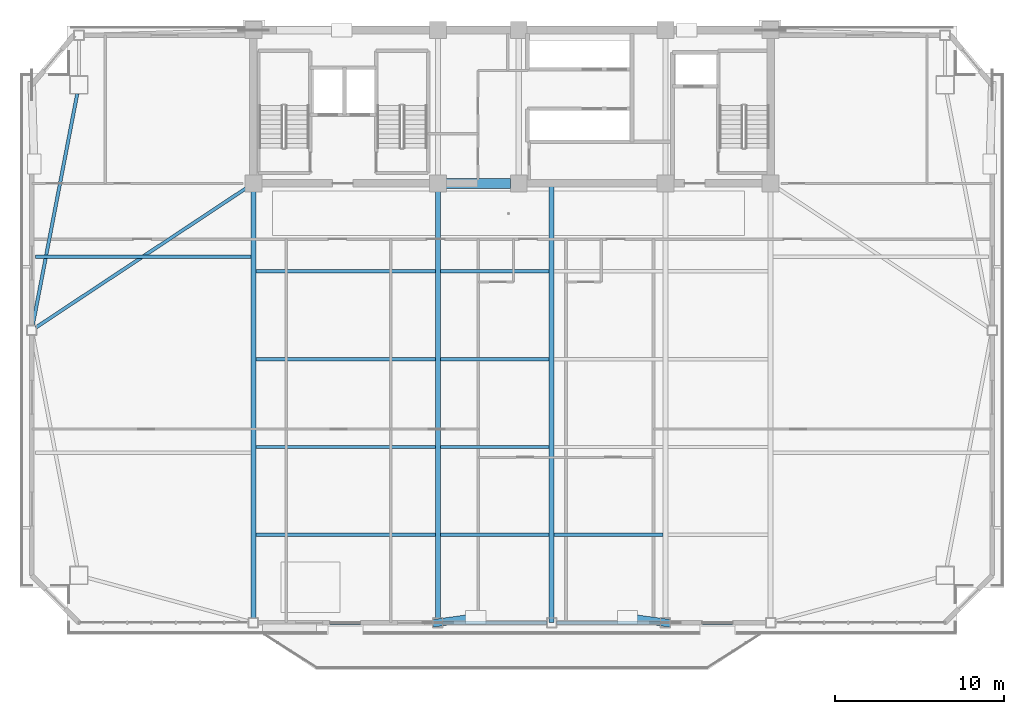
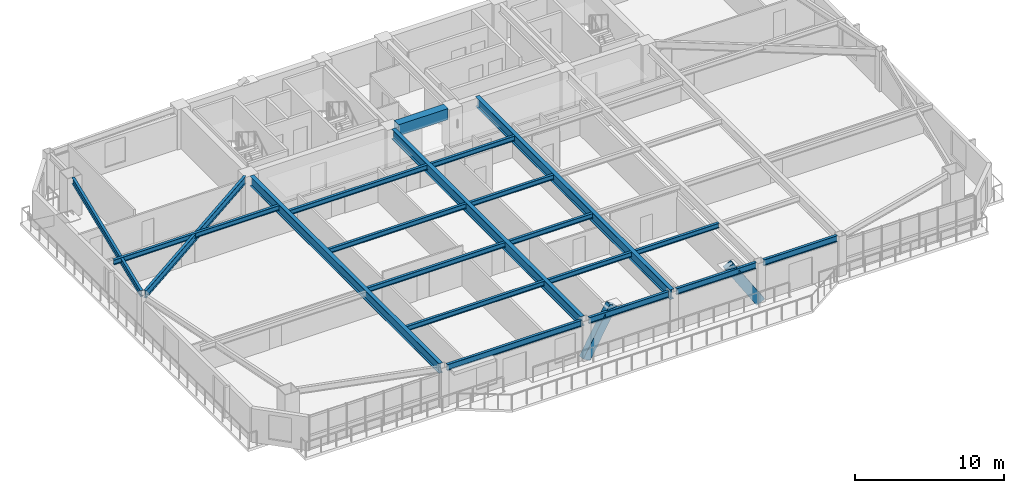
# One storey, part 3 of 17: 20 beams, 2 members.
"""IFC4 building model written with IfcOpenShell, lengths in metres."""

from ifc_helpers import new_model, si_unit, direction, frame, origin, origin_2d, place, context, subcontext, project, spatial, rectangle, hollow_rectangle, i_section, extrude, source, transform, mapped, material, material_profile, profile_set, type_object, element, save


model = new_model("IFC4")

# Units and contexts
model_context = context("Model", 3, precision=1e-05, world=origin(), true_north=direction((0.0, 1.0)))
body_context = subcontext(model_context, "Body", "Model", "MODEL_VIEW")
ifc_project = project(units=[si_unit("LENGTHUNIT", "METRE"), si_unit("AREAUNIT", "SQUARE_METRE"), si_unit("VOLUMEUNIT", "CUBIC_METRE"), si_unit("PLANEANGLEUNIT", "RADIAN"), si_unit("MASSUNIT", "GRAM", prefix="KILO")], contexts=[model_context])

# Site, building, storey
site_placement = place(None, origin())
site = spatial("IfcSite", under=ifc_project, at=site_placement, CompositionType="ELEMENT")
building_placement = place(site_placement, origin())
building = spatial("IfcBuilding", under=site, at=building_placement, Name="Giltprow Tower", CompositionType="ELEMENT")
storey_placement = place(building_placement, frame((0.0, 0.0, 202.699951171875)))
storey = spatial("IfcBuildingStorey", under=building, at=storey_placement, Name="L51", CompositionType="ELEMENT", Elevation=202.699951171875)

# Beams
ifc_material_1 = material(Name="Structural steel Q355B", Category="steel")
ifc_material_profile_1 = material_profile(ifc_material_1, i_section(OverallWidth=0.199951171875, OverallDepth=0.5, WebThickness=0.010009765625, FlangeThickness=0.01611328125, at=origin_2d()), Name="HN 500x200x10x16")
ifc_profile_set_1 = profile_set([ifc_material_profile_1], Name="Structural steel Q355B")
beam_type_1 = type_object("IfcBeamType", Name="BM-SPAN-HN500", PredefinedType="SPANDREL", material=ifc_profile_set_1)
shared_shape_1 = source(origin(), body_context, "Body", "SweptSolid", [
    extrude(i_section(OverallWidth=0.199951171875, OverallDepth=0.5, WebThickness=0.010009765625, FlangeThickness=0.01611328125, at=origin_2d()), origin(), (0.0, 0.0, 1.0), 5.679931640625),
])
beam_1_placement = place(storey_placement, frame((44.5849609375, 11.385986328125, 3.02001953125), z_axis=(1.0, 0.0, 0.0), x_axis=(0.0, 1.0, 0.0)))
element("IfcBeam", 1, at=beam_1_placement, inside=storey, type_object=beam_type_1, Name="L51 Perimeter Spandrel Beam S3-S4", PredefinedType="SPANDREL", context=body_context, shape_type="MappedRepresentation", body=[
    mapped(shared_shape_1, transform((0.0, 0.0, 0.0), x_axis=(1.0, 0.0, 0.0), y_axis=(0.0, 1.0, 0.0), z_axis=(0.0, 0.0, 1.0), scale=1.0)),
])
ifc_material_2 = material(Name="Concrete C50", Category="concrete")
ifc_material_profile_2 = material_profile(ifc_material_2, rectangle(XDim=0.60009765625, YDim=0.89990234375, at=origin_2d()), Name="RC 900x600")
ifc_profile_set_2 = profile_set([ifc_material_profile_2], Name="Concrete C50")
beam_type_2 = type_object("IfcBeamType", Name="BM-CPL-RC900", PredefinedType="LINTEL", material=ifc_profile_set_2)
shared_shape_2 = source(origin(), body_context, "Body", "SweptSolid", [
    extrude(rectangle(XDim=0.60009765625, YDim=0.89990234375, at=origin_2d()), origin(), (0.0, 0.0, 1.0), 3.830078125),
])
beam_2_placement = place(storey_placement, frame((31.284912109375, 37.449951171875, 2.820068359375), z_axis=(1.0, 0.0, 0.0), x_axis=(0.0, 1.0, 0.0)))
element("IfcBeam", 2, at=beam_2_placement, inside=storey, type_object=beam_type_2, Name="L51 Core Coupling Beam CB-1", PredefinedType="LINTEL", context=body_context, shape_type="MappedRepresentation", body=[
    mapped(shared_shape_2, transform((0.0, 0.0, 0.0), x_axis=(1.0, 0.0, 0.0), y_axis=(0.0, 1.0, 0.0), z_axis=(0.0, 0.0, 1.0), scale=1.0)),
])
ifc_material_profile_3 = material_profile(ifc_material_1, i_section(OverallWidth=0.300048828125, OverallDepth=0.800048828125, WebThickness=0.013916015625, FlangeThickness=0.02587890625, at=origin_2d()), Name="HN 800x300x14x26")
ifc_profile_set_3 = profile_set([ifc_material_profile_3], Name="Structural steel Q355B")
beam_type_3 = type_object("IfcBeamType", Name="BM-GIRD-HN800", PredefinedType="BEAM", material=ifc_profile_set_3)
shared_shape_3 = source(origin(), body_context, "Body", "SweptSolid", [
    extrude(i_section(OverallWidth=0.300048828125, OverallDepth=0.800048828125, WebThickness=0.013916015625, FlangeThickness=0.02587890625, at=origin_2d()), origin(), (0.0, 0.0, 1.0), 26.06396484375),
])
beam_3_placement = place(storey_placement, frame((37.550048828125, 11.385986328125, 2.8701171875), z_axis=(0.0, 1.0, 0.0), x_axis=(-1.0, 0.0, 0.0)))
element("IfcBeam", 3, at=beam_3_placement, inside=storey, type_object=beam_type_3, Name="L51 Central Lease Girder SMID", PredefinedType="BEAM", context=body_context, shape_type="MappedRepresentation", body=[
    mapped(shared_shape_3, transform((0.0, 0.0, 0.0), x_axis=(1.0, 0.0, 0.0), y_axis=(0.0, 1.0, 0.0), z_axis=(0.0, 0.0, 1.0), scale=1.0)),
])
shared_shape_4 = source(origin(), body_context, "Body", "SweptSolid", [
    extrude(i_section(OverallWidth=0.199951171875, OverallDepth=0.5, WebThickness=0.010009765625, FlangeThickness=0.01611328125, at=origin_2d()), origin(), (0.0, 0.0, 1.0), 10.3798828125),
])
beam_4_placement = place(storey_placement, frame((20.135009765625, 11.385986328125, 3.02001953125), z_axis=(1.0, 0.0, 0.0), x_axis=(0.0, 1.0, 0.0)))
element("IfcBeam", 4, at=beam_4_placement, inside=storey, type_object=beam_type_1, Name="L51 Perimeter Spandrel Beam S1-S2", PredefinedType="SPANDREL", context=body_context, shape_type="MappedRepresentation", body=[
    mapped(shared_shape_4, transform((0.0, 0.0, 0.0), x_axis=(1.0, 0.0, 0.0), y_axis=(0.0, 1.0, 0.0), z_axis=(0.0, 0.0, 1.0), scale=1.0)),
])
shared_shape_5 = source(origin(), body_context, "Body", "SweptSolid", [
    extrude(i_section(OverallWidth=0.199951171875, OverallDepth=0.5, WebThickness=0.010009765625, FlangeThickness=0.01611328125, at=origin_2d()), origin(), (0.0, 0.0, 1.0), 6.179931640625),
])
for number, where, z_axis, x_axis, name in (
    (5, (31.0849609375, 11.385986328125, 3.02001953125), (1.0, 0.0, 0.0), (0.0, 1.0, 0.0), "L51 Perimeter Spandrel Beam S2-S_MID"),
    (6, (37.8349609375, 11.385986328125, 3.02001953125), (1.0, 0.0, 0.0), (0.0, 1.0, 0.0), "L51 Perimeter Spandrel Beam S_MID-S3"),
):
    element("IfcBeam", number, at=place(storey_placement, frame(where, z_axis=z_axis, x_axis=x_axis)), inside=storey, type_object=beam_type_1, Name=name, PredefinedType="SPANDREL", context=body_context, shape_type="MappedRepresentation", body=[
        mapped(shared_shape_5, transform((0.0, 0.0, 0.0), x_axis=(1.0, 0.0, 0.0), y_axis=(0.0, 1.0, 0.0), z_axis=(0.0, 0.0, 1.0), scale=1.0)),
    ])
shared_shape_6 = source(origin(), body_context, "Body", "SweptSolid", [
    extrude(i_section(OverallWidth=0.199951171875, OverallDepth=0.5, WebThickness=0.010009765625, FlangeThickness=0.01611328125, at=origin_2d()), origin(), (0.0, 0.0, 1.0), 14.00390625),
])
beam_5_placement = place(storey_placement, frame((9.402099609375, 42.77490234375, 3.02001953125), z_axis=(-0.188875844444, -0.982000975247, 0.0), x_axis=(0.982000975247, -0.188875844444, 0.0)))
element("IfcBeam", 7, at=beam_5_placement, inside=storey, type_object=beam_type_1, Name="L51 Perimeter Spandrel Beam MC_NW-W_MID", PredefinedType="SPANDREL", context=body_context, shape_type="MappedRepresentation", body=[
    mapped(shared_shape_6, transform((0.0, 0.0, 0.0), x_axis=(1.0, 0.0, 0.0), y_axis=(0.0, 1.0, 0.0), z_axis=(0.0, 0.0, 1.0), scale=1.0)),
])
shared_shape_7 = source(origin(), body_context, "Body", "SweptSolid", [
    extrude(i_section(OverallWidth=0.300048828125, OverallDepth=0.800048828125, WebThickness=0.013916015625, FlangeThickness=0.02587890625, at=origin_2d()), origin(), (0.0, 0.0, 1.0), 25.294189453125),
])
for number, where, z_axis, x_axis, name in (
    (8, (19.85009765625, 11.6708984375, 2.8701171875), (0.0, 1.0, 0.0), (-1.0, 0.0, 0.0), "L51 Primary Lease Girder S1"),
    (9, (30.800048828125, 11.6708984375, 2.8701171875), (0.0, 1.0, 0.0), (-1.0, 0.0, 0.0), "L51 Primary Lease Girder S2"),
):
    element("IfcBeam", number, at=place(storey_placement, frame(where, z_axis=z_axis, x_axis=x_axis)), inside=storey, type_object=beam_type_3, Name=name, PredefinedType="BEAM", context=body_context, shape_type="MappedRepresentation", body=[
        mapped(shared_shape_7, transform((0.0, 0.0, 0.0), x_axis=(1.0, 0.0, 0.0), y_axis=(0.0, 1.0, 0.0), z_axis=(0.0, 0.0, 1.0), scale=1.0)),
    ])
ifc_material_profile_4 = material_profile(ifc_material_1, i_section(OverallWidth=0.199951171875, OverallDepth=0.60009765625, WebThickness=0.010986328125, FlangeThickness=0.01708984375, at=origin_2d()), Name="HN 600x200x11x17")
ifc_profile_set_4 = profile_set([ifc_material_profile_4], Name="Structural steel Q355B")
beam_type_4 = type_object("IfcBeamType", Name="BM-GIRD-HN600", PredefinedType="BEAM", material=ifc_profile_set_4)
shared_shape_8 = source(origin(), body_context, "Body", "SweptSolid", [
    extrude(i_section(OverallWidth=0.199951171875, OverallDepth=0.60009765625, WebThickness=0.010986328125, FlangeThickness=0.01708984375, at=origin_2d()), origin(), (0.0, 0.0, 1.0), 14.9990234375),
])
beam_6_placement = place(storey_placement, frame((6.94091796875, 28.89990234375, 2.969970703125), z_axis=(0.833731764844, 0.552169669839, 0.0), x_axis=(-0.552169669839, 0.833731764844, 0.0)))
element("IfcBeam", 10, at=beam_6_placement, inside=storey, type_object=beam_type_4, Name="L51 West Wing Primary Girder", PredefinedType="BEAM", context=body_context, shape_type="MappedRepresentation", body=[
    mapped(shared_shape_8, transform((0.0, 0.0, 0.0), x_axis=(1.0, 0.0, 0.0), y_axis=(0.0, 1.0, 0.0), z_axis=(0.0, 0.0, 1.0), scale=1.0)),
])
ifc_material_profile_5 = material_profile(ifc_material_1, i_section(OverallWidth=0.199951171875, OverallDepth=0.39990234375, WebThickness=0.008056640625, FlangeThickness=0.012939453125, at=origin_2d()), Name="HN 400x200x8x13")
ifc_profile_set_5 = profile_set([ifc_material_profile_5], Name="Structural steel Q355B")
beam_type_5 = type_object("IfcBeamType", Name="BM-JOIST-HN400", PredefinedType="JOIST", material=ifc_profile_set_5)
shared_shape_9 = source(origin(), body_context, "Body", "SweptSolid", [
    extrude(i_section(OverallWidth=0.199951171875, OverallDepth=0.39990234375, WebThickness=0.008056640625, FlangeThickness=0.012939453125, at=origin_2d()), origin(), (0.0, 0.0, 1.0), 10.659912109375),
])
for number, where, z_axis, x_axis, name in (
    (11, (19.9951171875, 16.59912109375, 3.070068359375), (1.0, 0.0, 0.0), (0.0, 1.0, 0.0), "L51 Composite Floor Joist 1-1"),
    (12, (19.9951171875, 21.81201171875, 3.070068359375), (1.0, 0.0, 0.0), (0.0, 1.0, 0.0), "L51 Composite Floor Joist 2-1"),
    (13, (19.9951171875, 27.02392578125, 3.070068359375), (1.0, 0.0, 0.0), (0.0, 1.0, 0.0), "L51 Composite Floor Joist 3-1"),
    (14, (19.9951171875, 32.237060546875, 3.070068359375), (1.0, 0.0, 0.0), (0.0, 1.0, 0.0), "L51 Composite Floor Joist 4-1"),
):
    element("IfcBeam", number, at=place(storey_placement, frame(where, z_axis=z_axis, x_axis=x_axis)), inside=storey, type_object=beam_type_5, Name=name, PredefinedType="JOIST", context=body_context, shape_type="MappedRepresentation", body=[
        mapped(shared_shape_9, transform((0.0, 0.0, 0.0), x_axis=(1.0, 0.0, 0.0), y_axis=(0.0, 1.0, 0.0), z_axis=(0.0, 0.0, 1.0), scale=1.0)),
    ])
shared_shape_10 = source(origin(), body_context, "Body", "SweptSolid", [
    extrude(i_section(OverallWidth=0.199951171875, OverallDepth=0.39990234375, WebThickness=0.008056640625, FlangeThickness=0.012939453125, at=origin_2d()), origin(), (0.0, 0.0, 1.0), 6.4599609375),
])
for number, where, z_axis, x_axis, name in (
    (15, (30.945068359375, 16.59912109375, 3.070068359375), (1.0, 0.0, 0.0), (0.0, 1.0, 0.0), "L51 Composite Floor Joist 1-2"),
    (16, (37.695068359375, 16.59912109375, 3.070068359375), (1.0, 0.0, 0.0), (0.0, 1.0, 0.0), "L51 Composite Floor Joist 1-3"),
    (17, (30.945068359375, 21.81201171875, 3.070068359375), (1.0, 0.0, 0.0), (0.0, 1.0, 0.0), "L51 Composite Floor Joist 2-2"),
    (18, (30.945068359375, 27.02392578125, 3.070068359375), (1.0, 0.0, 0.0), (0.0, 1.0, 0.0), "L51 Composite Floor Joist 3-2"),
    (19, (30.945068359375, 32.237060546875, 3.070068359375), (1.0, 0.0, 0.0), (0.0, 1.0, 0.0), "L51 Composite Floor Joist 4-2"),
):
    element("IfcBeam", number, at=place(storey_placement, frame(where, z_axis=z_axis, x_axis=x_axis)), inside=storey, type_object=beam_type_5, Name=name, PredefinedType="JOIST", context=body_context, shape_type="MappedRepresentation", body=[
        mapped(shared_shape_10, transform((0.0, 0.0, 0.0), x_axis=(1.0, 0.0, 0.0), y_axis=(0.0, 1.0, 0.0), z_axis=(0.0, 0.0, 1.0), scale=1.0)),
    ])
shared_shape_11 = source(origin(), body_context, "Body", "SweptSolid", [
    extrude(i_section(OverallWidth=0.199951171875, OverallDepth=0.39990234375, WebThickness=0.008056640625, FlangeThickness=0.012939453125, at=origin_2d()), origin(), (0.0, 0.0, 1.0), 12.781982421875),
])
beam_7_placement = place(storey_placement, frame((6.923095703125, 33.095947265625, 3.070068359375), z_axis=(1.0, 0.0, 0.0), x_axis=(0.0, 1.0, 0.0)))
element("IfcBeam", 20, at=beam_7_placement, inside=storey, type_object=beam_type_5, Name="L51 West Wing Floor Joist 2", PredefinedType="JOIST", context=body_context, shape_type="MappedRepresentation", body=[
    mapped(shared_shape_11, transform((0.0, 0.0, 0.0), x_axis=(1.0, 0.0, 0.0), y_axis=(0.0, 1.0, 0.0), z_axis=(0.0, 0.0, 1.0), scale=1.0)),
])

# Members
ifc_material_3 = material(Name="Structural steel Q420GJC", Category="steel")
ifc_material_profile_6 = material_profile(ifc_material_3, hollow_rectangle(XDim=0.449951171875, YDim=0.699951171875, WallThickness=0.031982421875, at=origin_2d()), Name="RHS 700x450x32")
ifc_profile_set_6 = profile_set([ifc_material_profile_6], Name="Structural steel Q420GJC")
member_type = type_object("IfcMemberType", Name="MBR-MEGA-RHS700", PredefinedType="BRACE", material=ifc_profile_set_6)
shared_shape_12 = source(origin(), body_context, "Body", "SweptSolid", [
    extrude(hollow_rectangle(XDim=0.449951171875, YDim=0.699951171875, WallThickness=0.031982421875, at=origin_2d()), origin(), (0.0, 0.0, 1.0), 4.17236328125),
])
for number, where, z_axis, x_axis, name in (
    (21, (30.800048828125, 11.385986328125, 0.0), (0.539253007767, 0.074545174902, 0.838838012082), (-0.136935639325, 0.990579946639, 0.0), "L51 Chevron Mega-Brace S-L"),
    (22, (44.300048828125, 11.385986328125, 0.0), (-0.539253007767, 0.074545174902, 0.838838012082), (-0.136935639325, -0.990579946639, 0.0), "L51 Chevron Mega-Brace S-R"),
):
    element("IfcMember", number, at=place(storey_placement, frame(where, z_axis=z_axis, x_axis=x_axis)), inside=storey, type_object=member_type, Name=name, PredefinedType="BRACE", context=body_context, shape_type="MappedRepresentation", body=[
        mapped(shared_shape_12, transform((0.0, 0.0, 0.0), x_axis=(1.0, 0.0, 0.0), y_axis=(0.0, 1.0, 0.0), z_axis=(0.0, 0.0, 1.0), scale=1.0)),
    ])

save(model, "model.ifc")
